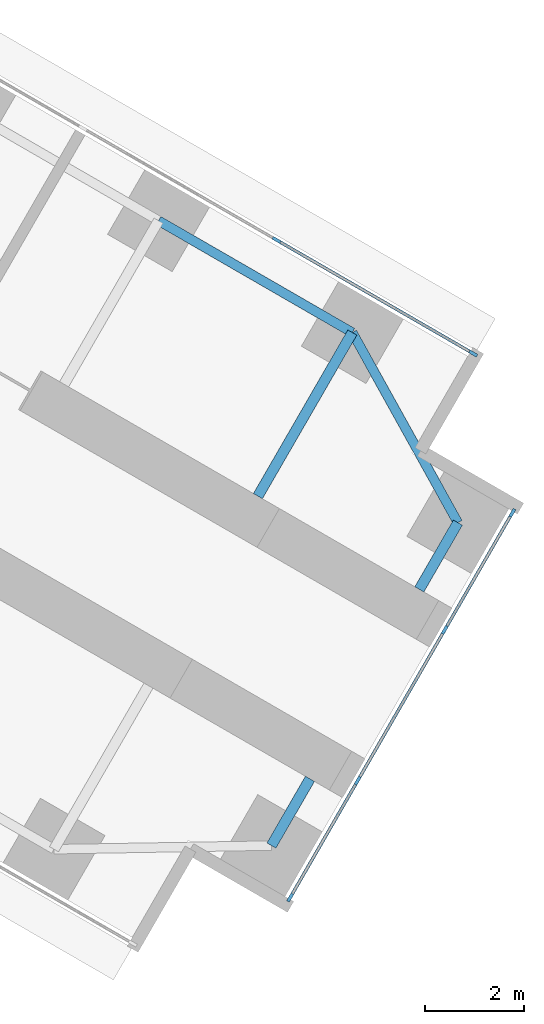
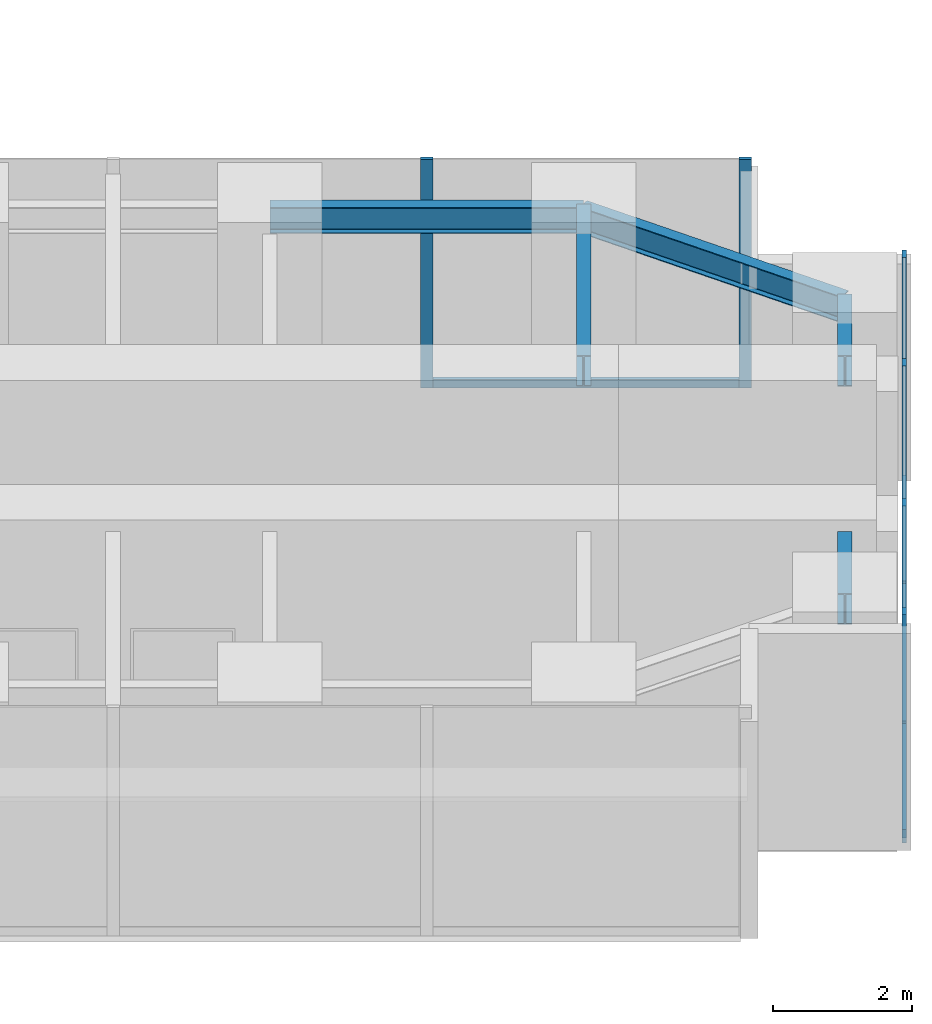
# One storey, part 12 of 22: 10 members, 5 beams, 2 elements without a shape of their own.
"""IFC4 building model written with IfcOpenShell, lengths in metres."""

from ifc_helpers import new_model, si_unit, direction, frame, origin, origin_2d, place, context, subcontext, project, spatial, rectangle, i_section, extrude, material, material_profile, profile_set, type_object, element, aggregate, save


model = new_model("IFC4")

# Units and contexts
model_context = context("Model", 3, precision=1e-05, world=origin(), true_north=direction((0.0, 1.0)))
body_context = subcontext(model_context, "Body", "Model", "MODEL_VIEW")
ifc_project = project(units=[si_unit("LENGTHUNIT", "METRE"), si_unit("AREAUNIT", "SQUARE_METRE"), si_unit("VOLUMEUNIT", "CUBIC_METRE"), si_unit("PLANEANGLEUNIT", "RADIAN"), si_unit("MASSUNIT", "GRAM", prefix="KILO")], contexts=[model_context])

# Site, building, storey
site_placement = place(None, origin())
site = spatial("IfcSite", under=ifc_project, at=site_placement, CompositionType="ELEMENT")
building_placement = place(site_placement, origin())
building = spatial("IfcBuilding", under=site, at=building_placement, Name="Upepo Twin Towers", CompositionType="ELEMENT")
storey_placement = place(building_placement, frame((0.0, 0.0, 40.5)))
storey = spatial("IfcBuildingStorey", under=building, at=storey_placement, Name="L09", CompositionType="ELEMENT", Elevation=40.5)

# Beams
ifc_material_1 = material(Name="Steel S355", Category="steel")
ifc_material_profile_1 = material_profile(ifc_material_1, i_section(OverallWidth=0.1904296875, OverallDepth=0.45703125, WebThickness=0.009033203125, FlangeThickness=0.014404296875, FilletRadius=0.01025390625, at=origin_2d()), Name="UB 457x191x74")
ifc_profile_set_1 = profile_set([ifc_material_profile_1], Name="Steel S355")
beam_type_1 = type_object("IfcBeamType", Name="Beam UB 457x191x74", PredefinedType="BEAM", material=ifc_profile_set_1)
beam_1_placement = place(storey_placement, frame((77.08837890625, -21.803955078125, 3.571533203125), z_axis=(0.866031096941, -0.499990139034, 0.0), x_axis=(0.499990139034, 0.866031096941, 0.0)))
element("IfcBeam", 1, at=beam_1_placement, inside=storey, type_object=beam_type_1, Name="T2 edge beam CL 18.0-22.5", PredefinedType="BEAM", context=body_context, shape_type="SweptSolid", body=[
    extrude(i_section(OverallWidth=0.1904296875, OverallDepth=0.45703125, WebThickness=0.009033203125, FlangeThickness=0.014404296875, FilletRadius=0.01025390625, at=origin_2d()), origin(), (0.0, 0.0, 1.0), 4.5),
])
beam_2_placement = place(storey_placement, frame((80.985595703125, -24.053955078125, 3.571533203125), z_axis=(0.485363242752, -0.874312600038, 0.0), x_axis=(0.874312600038, 0.485363242752, 0.0)))
element("IfcBeam", 2, at=beam_2_placement, inside=storey, type_object=beam_type_1, Name="T2 nose edge beam CL", PredefinedType="BEAM", context=body_context, shape_type="SweptSolid", body=[
    extrude(i_section(OverallWidth=0.1904296875, OverallDepth=0.45703125, WebThickness=0.009033203125, FlangeThickness=0.014404296875, FilletRadius=0.01025390625, at=origin_2d()), origin(), (0.0, 0.0, 1.0), 4.373046875),
])
ifc_material_2 = material(Name="Steel S355", Category="steel")
ifc_material_profile_2 = material_profile(ifc_material_2, i_section(OverallWidth=0.2099609375, OverallDepth=0.53662109375, WebThickness=0.0107421875, FlangeThickness=0.017333984375, FilletRadius=0.0126953125, at=origin_2d()), Name="UB 533x210x101")
ifc_profile_set_2 = profile_set([ifc_material_profile_2], Name="Steel S355")
beam_type_2 = type_object("IfcBeamType", Name="Beam UB 533x210x101", PredefinedType="BEAM", material=ifc_profile_set_2)
for number, where, z_axis, x_axis, name in (
    (3, (83.108154296875, -27.87744140625, 3.53173828125), (-0.499967891604, -0.866043940782, 0.0), (0.866043940782, -0.499967891604, 0.0), "T2 nose beam CL"),
    (4, (79.358154296875, -34.37255859375, 3.53173828125), (0.499967891604, 0.866043940782, 0.0), (-0.866043940782, 0.499967891604, 0.0), "T2 nose beam CR"),
):
    element("IfcBeam", number, at=place(storey_placement, frame(where, z_axis=z_axis, x_axis=x_axis)), inside=storey, type_object=beam_type_2, Name=name, PredefinedType="BEAM", context=body_context, shape_type="SweptSolid", body=[
        extrude(i_section(OverallWidth=0.2099609375, OverallDepth=0.53662109375, WebThickness=0.0107421875, FlangeThickness=0.017333984375, FilletRadius=0.0126953125, at=origin_2d()), origin(), (0.0, 0.0, 1.0), 1.5498046875),
    ])
ifc_material_3 = material(Name="Steel S355", Category="steel")
ifc_material_profile_3 = material_profile(ifc_material_3, i_section(OverallWidth=0.209228515625, OverallDepth=0.533203125, WebThickness=0.010009765625, FlangeThickness=0.015625, FilletRadius=0.0126953125, at=origin_2d()), Name="UB 533x210x92")
ifc_profile_set_3 = profile_set([ifc_material_profile_3], Name="Steel S355")
beam_type_3 = type_object("IfcBeamType", Name="Beam UB 533x210x92", PredefinedType="BEAM", material=ifc_profile_set_3)
beam_3_placement = place(storey_placement, frame((80.985595703125, -24.053955078125, 3.533447265625), z_axis=(-0.499994975061, -0.866028304915, 0.0), x_axis=(0.866028304915, -0.499994975061, 0.0)))
element("IfcBeam", 5, at=beam_3_placement, inside=storey, type_object=beam_type_3, Name="T2 girder CL at 22.5", PredefinedType="BEAM", context=body_context, shape_type="SweptSolid", body=[
    extrude(i_section(OverallWidth=0.209228515625, OverallDepth=0.533203125, WebThickness=0.010009765625, FlangeThickness=0.015625, FilletRadius=0.0126953125, at=origin_2d()), origin(), (0.0, 0.0, 1.0), 3.7998046875),
])

# Curtain wall, members
ifc_material_4 = material(Name="Aluminium and fritted glass", Category="aluminium")
curtain_wall_type = type_object("IfcCurtainWallType", Name="Tower curtain wall TW1, fritted glass", PredefinedType="NOTDEFINED", material=ifc_material_4)
curtain_wall_1_placement = place(storey_placement, origin())
curtain_wall_1 = element("IfcCurtainWall", 6, at=curtain_wall_1_placement, inside=storey, type_object=curtain_wall_type, Name="T2 L09 wing C flank L curtain wall", PredefinedType="NOTDEFINED")
ifc_material_5 = material(Name="Aluminium mullion", Category="aluminium")
ifc_material_profile_4 = material_profile(ifc_material_5, rectangle(XDim=0.06494140625, YDim=0.179931640625, at=origin_2d()), Name="MULLION 65x180")
ifc_profile_set_4 = profile_set([ifc_material_profile_4], Name="Aluminium mullion")
member_type_1 = type_object("IfcMemberType", Name="Mullion 65x180 TW1", PredefinedType="MULLION", material=ifc_profile_set_4)
member_1_placement = place(storey_placement, frame((79.4619140625, -22.192626953125, 0.0), z_axis=(0.0, 0.0, 1.0), x_axis=(0.500000024426, 0.866025389682, 0.0)))
member_1 = element("IfcMember", 7, at=member_1_placement, type_object=member_type_1, Name="T2 L09 wing C flank L curtain wall mullion 3", PredefinedType="MULLION", context=body_context, shape_type="SweptSolid", body=[
    extrude(rectangle(XDim=0.06494140625, YDim=0.179931640625, at=origin_2d()), origin(), (0.0, 0.0, 1.0), 4.0),
])
member_2_placement = place(storey_placement, frame((83.41748046875, -24.4765625, 0.0), z_axis=(0.0, 0.0, 1.0), x_axis=(0.500000024426, 0.866025389682, 0.0)))
member_2 = element("IfcMember", 8, at=member_2_placement, type_object=member_type_1, Name="T2 L09 wing C flank L curtain wall mullion 4", PredefinedType="MULLION", context=body_context, shape_type="SweptSolid", body=[
    extrude(rectangle(XDim=0.06494140625, YDim=0.179931640625, at=origin_2d()), origin(), (0.0, 0.0, 1.0), 4.0),
])

curtain_wall_2_placement = place(storey_placement, origin())
curtain_wall_2 = element("IfcCurtainWall", 9, at=curtain_wall_2_placement, inside=storey, type_object=curtain_wall_type, Name="T2 L09 wing C nose curtain wall", PredefinedType="NOTDEFINED")
member_3_placement = place(storey_placement, frame((79.735595703125, -35.4189453125, 0.0), z_axis=(0.0, 0.0, 1.0), x_axis=(-0.866025386174, 0.500000030502, 0.0)))
member_3 = element("IfcMember", 10, at=member_3_placement, type_object=member_type_1, Name="T2 L09 wing C nose curtain wall mullion 1", PredefinedType="MULLION", context=body_context, shape_type="SweptSolid", body=[
    extrude(rectangle(XDim=0.06494140625, YDim=0.179931640625, at=origin_2d()), origin(), (0.0, 0.0, 1.0), 4.0),
])
member_4_placement = place(storey_placement, frame((81.09423828125, -33.0654296875, 0.0), z_axis=(0.0, 0.0, 1.0), x_axis=(-0.866025386174, 0.500000030502, 0.0)))
member_4 = element("IfcMember", 11, at=member_4_placement, type_object=member_type_1, Name="T2 L09 wing C nose curtain wall mullion 2", PredefinedType="MULLION", context=body_context, shape_type="SweptSolid", body=[
    extrude(rectangle(XDim=0.06494140625, YDim=0.179931640625, at=origin_2d()), origin(), (0.0, 0.0, 1.0), 4.0),
])
member_5_placement = place(storey_placement, frame((82.84423828125, -30.034423828125, 0.0), z_axis=(0.0, 0.0, 1.0), x_axis=(-0.866025386174, 0.500000030502, 0.0)))
member_5 = element("IfcMember", 12, at=member_5_placement, type_object=member_type_1, Name="T2 L09 wing C nose curtain wall mullion 3", PredefinedType="MULLION", context=body_context, shape_type="SweptSolid", body=[
    extrude(rectangle(XDim=0.06494140625, YDim=0.179931640625, at=origin_2d()), origin(), (0.0, 0.0, 1.0), 4.0),
])
member_6_placement = place(storey_placement, frame((84.203125, -27.68115234375, 0.0), z_axis=(0.0, 0.0, 1.0), x_axis=(-0.866025386174, 0.500000030502, 0.0)))
member_6 = element("IfcMember", 13, at=member_6_placement, type_object=member_type_1, Name="T2 L09 wing C nose curtain wall mullion 4", PredefinedType="MULLION", context=body_context, shape_type="SweptSolid", body=[
    extrude(rectangle(XDim=0.06494140625, YDim=0.179931640625, at=origin_2d()), origin(), (0.0, 0.0, 1.0), 4.0),
])

# Member
ifc_material_6 = material(Name="Aluminium transom", Category="aluminium")
ifc_material_profile_5 = material_profile(ifc_material_6, rectangle(XDim=0.06494140625, YDim=0.14990234375, at=origin_2d()), Name="TRANSOM 65x150")
ifc_profile_set_5 = profile_set([ifc_material_profile_5], Name="Aluminium transom")
member_type_2 = type_object("IfcMemberType", Name="Transom 65x150 TW1", PredefinedType="USERDEFINED", material=ifc_profile_set_5)
member_7_placement = place(storey_placement, frame((79.490234375, -22.208984375, 0.074951171875), z_axis=(0.866022143554, -0.500005646842, 0.0), x_axis=(0.500005646842, 0.866022143554, 0.0)))
member_7 = element("IfcMember", 14, at=member_7_placement, type_object=member_type_2, Name="T2 L09 wing C flank L curtain wall transom 3", ObjectType="TRANSOM", PredefinedType="USERDEFINED", context=body_context, shape_type="SweptSolid", body=[
    extrude(rectangle(XDim=0.06494140625, YDim=0.14990234375, at=origin_2d()), origin(), (0.0, 0.0, 1.0), 4.50244140625),
])

aggregate(curtain_wall_1, [member_1, member_2, member_7])

member_8_placement = place(storey_placement, frame((79.751708984375, -35.390869140625, 0.074951171875), z_axis=(0.500049101008, 0.865997053448, 0.0), x_axis=(-0.865997053448, 0.500049101008, 0.0)))
member_8 = element("IfcMember", 15, at=member_8_placement, type_object=member_type_2, Name="T2 L09 wing C nose curtain wall transom 1", ObjectType="TRANSOM", PredefinedType="USERDEFINED", context=body_context, shape_type="SweptSolid", body=[
    extrude(rectangle(XDim=0.06494140625, YDim=0.14990234375, at=origin_2d()), origin(), (0.0, 0.0, 1.0), 2.652587890625),
])

member_9_placement = place(storey_placement, frame((81.110595703125, -33.037353515625, 0.074951171875), z_axis=(0.499999305434, 0.866025804792, 0.0), x_axis=(-0.866025804792, 0.499999305434, 0.0)))
member_9 = element("IfcMember", 16, at=member_9_placement, type_object=member_type_2, Name="T2 L09 wing C nose curtain wall transom 2", ObjectType="TRANSOM", PredefinedType="USERDEFINED", context=body_context, shape_type="SweptSolid", body=[
    extrude(rectangle(XDim=0.06494140625, YDim=0.14990234375, at=origin_2d()), origin(), (0.0, 0.0, 1.0), 3.43505859375),
])

member_10_placement = place(storey_placement, frame((82.860595703125, -30.00634765625, 0.074951171875), z_axis=(0.499980071345, 0.866036909293, 0.0), x_axis=(-0.866036909293, 0.499980071345, 0.0)))
member_10 = element("IfcMember", 17, at=member_10_placement, type_object=member_type_2, Name="T2 L09 wing C nose curtain wall transom 3", ObjectType="TRANSOM", PredefinedType="USERDEFINED", context=body_context, shape_type="SweptSolid", body=[
    extrude(rectangle(XDim=0.06494140625, YDim=0.14990234375, at=origin_2d()), origin(), (0.0, 0.0, 1.0), 2.65234375),
])

aggregate(curtain_wall_2, [member_3, member_4, member_5, member_6, member_8, member_9, member_10])

save(model, "model.ifc")
